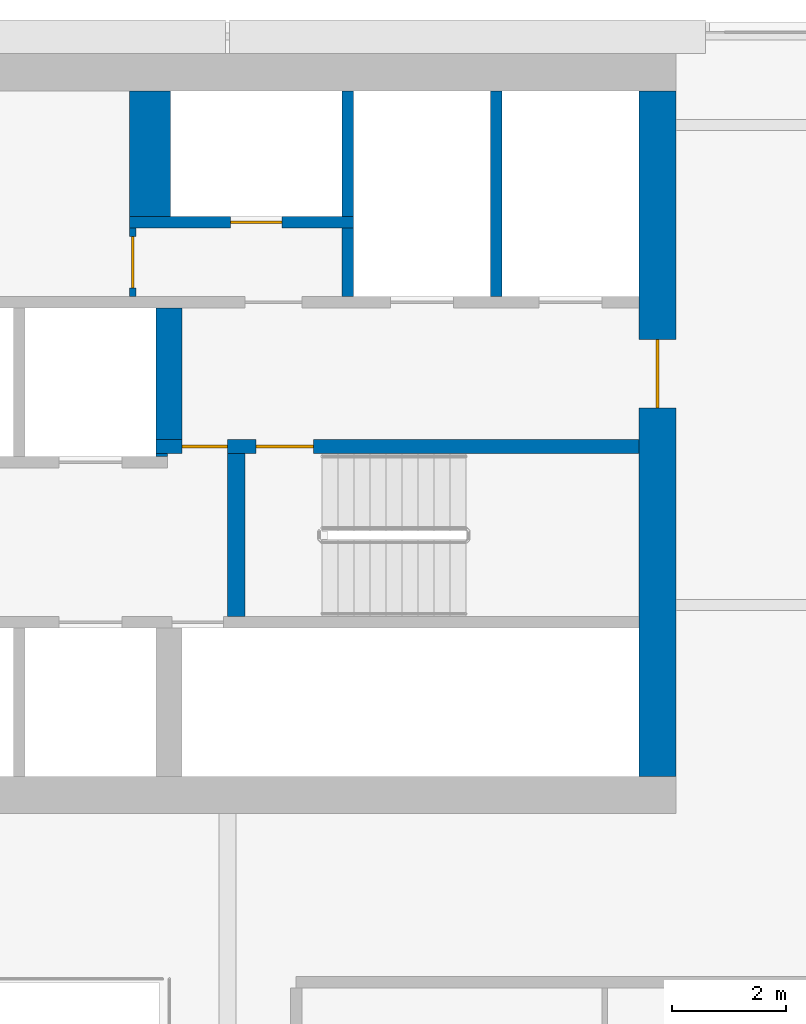
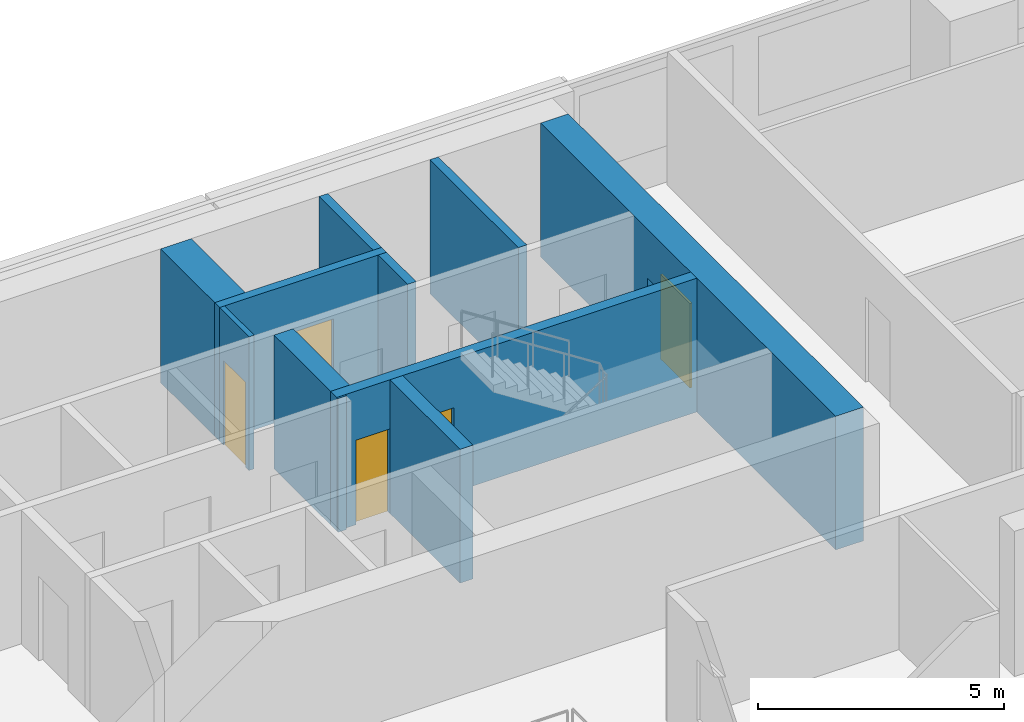
# One storey, part 22 of 30: 11 walls, 5 doors, 5 openings.
"""IFC4 building model written with IfcOpenShell, lengths in metres."""

from ifc_helpers import new_model, si_unit, direction, frame, frame_2d, origin, place, context, subcontext, project, spatial, rectangle, extrude, material, layer, layer_set, type_object, element, fill, save


model = new_model("IFC4")

# Units and contexts
model_context = context("Model", 3, precision=1e-05, world=origin(), true_north=direction((0.0, 1.0)))
body_context = subcontext(model_context, "Body", "Model", "MODEL_VIEW")
ifc_project = project(units=[si_unit("LENGTHUNIT", "METRE"), si_unit("AREAUNIT", "SQUARE_METRE"), si_unit("VOLUMEUNIT", "CUBIC_METRE"), si_unit("PLANEANGLEUNIT", "RADIAN"), si_unit("MASSUNIT", "GRAM", prefix="KILO")], contexts=[model_context])

# Site, building, storey
site_placement = place(None, origin())
site = spatial("IfcSite", under=ifc_project, at=site_placement, CompositionType="ELEMENT")
building_placement = place(site_placement, origin())
building = spatial("IfcBuilding", under=site, at=building_placement, Name="Saffron Gate Tower", CompositionType="ELEMENT")
storey_placement = place(building_placement, frame((0.0, 0.0, 245.10009765625)))
storey = spatial("IfcBuildingStorey", under=building, at=storey_placement, Name="L60", CompositionType="ELEMENT", Elevation=245.10009765625)

# Wall, openings, doors
ifc_material_1 = material(Name="Concrete C60", Category="concrete")
ifc_layer_1 = layer(ifc_material_1, 0.25)
ifc_layer_set_1 = layer_set([ifc_layer_1], Name="CW14 RC core wall 250 C60")
wall_type_1 = type_object("IfcWallType", Name="CW14 RC core wall 250 C60", PredefinedType="SOLIDWALL", material=ifc_layer_set_1)
wall_1_placement = place(storey_placement, frame((98.949951171875, 68.175048828125, 0.0), z_axis=(0.0, 0.0, 1.0), x_axis=(1.0, 0.0, 0.0)))
wall_1 = element("IfcWall", 1, at=wall_1_placement, inside=storey, type_object=wall_type_1, Name="Wall CW14-L60-30", PredefinedType="SOLIDWALL", context=body_context, shape_type="SweptSolid", body=[
    extrude(rectangle(XDim=8.449951171875, YDim=0.25, at=frame_2d((4.22509765625, 0.0))), origin(), (0.0, 0.0, 1.0), 3.31982421875),
])
opening_1_placement = place(wall_1_placement, frame((0.449951171875, 0.0, 0.0)))
opening_1 = element("IfcOpeningElement", 2, at=opening_1_placement, cuts=wall_1, Name="Opening CR-05", PredefinedType="OPENING", context=body_context, shape_type="SweptSolid", body=[
    extrude(rectangle(XDim=0.800048828125, YDim=2.10009765625, at=frame_2d((0.39990234375, 1.050048828125))), frame((0.0, 0.135009765625, 0.0), z_axis=(0.0, -1.0, 0.0), x_axis=(1.0, 0.0, 0.0)), (0.0, 0.0, 1.0), 0.27001953125),
])
opening_2_placement = place(wall_1_placement, frame((1.75, 0.0, 0.0)))
opening_2 = element("IfcOpeningElement", 3, at=opening_2_placement, cuts=wall_1, Name="Opening CR-16", PredefinedType="OPENING", context=body_context, shape_type="SweptSolid", body=[
    extrude(rectangle(XDim=1.0, YDim=2.10009765625, at=frame_2d((0.5, 1.050048828125))), frame((0.0, 0.135009765625, 0.0), z_axis=(0.0, -1.0, 0.0), x_axis=(1.0, 0.0, 0.0)), (0.0, 0.0, 1.0), 0.27001953125),
])
ifc_material_2 = material(Name="Steel fire door set", Category="steel")
door_type_1 = type_object("IfcDoorType", Name="CD5 Stair door 1000x2100 EI 120", OperationType="NOTDEFINED", PredefinedType="DOOR", material=ifc_material_2)
door_1_placement = place(opening_2_placement, origin())
door_1 = element("IfcDoor", 4, at=door_1_placement, inside=storey, type_object=door_type_1, Name="DOOR CR-16", OperationType="SINGLE_SWING_RIGHT", OverallHeight=2.10009765625, OverallWidth=1.0, PredefinedType="DOOR", context=body_context, shape_type="SweptSolid", body=[
    extrude(rectangle(XDim=1.0, YDim=2.10009765625, at=frame_2d((0.5, 1.050048828125))), frame((0.0, 0.02490234375, 0.0), z_axis=(0.0, -1.0, 0.0), x_axis=(1.0, 0.0, 0.0)), (0.0, 0.0, 1.0), 0.050048828125),
])
fill(opening_2, door_1)
door_type_2 = type_object("IfcDoorType", Name="CD6 Lobby door 800x2100 EI 120", OperationType="NOTDEFINED", PredefinedType="DOOR", material=ifc_material_2)
door_2_placement = place(opening_1_placement, origin())
door_2 = element("IfcDoor", 5, at=door_2_placement, inside=storey, type_object=door_type_2, Name="DOOR CR-05", OperationType="SINGLE_SWING_LEFT", OverallHeight=2.10009765625, OverallWidth=0.800048828125, PredefinedType="DOOR", context=body_context, shape_type="SweptSolid", body=[
    extrude(rectangle(XDim=0.800048828125, YDim=2.10009765625, at=frame_2d((0.39990234375, 1.050048828125))), frame((0.0, 0.02490234375, 0.0), z_axis=(0.0, -1.0, 0.0), x_axis=(1.0, 0.0, 0.0)), (0.0, 0.0, 1.0), 0.050048828125),
])
fill(opening_1, door_2)

# Walls
ifc_layer_2 = layer(ifc_material_1, 0.199951171875)
ifc_layer_set_2 = layer_set([ifc_layer_2], Name="CW15 RC core wall 200 C60")
wall_type_2 = type_object("IfcWallType", Name="CW15 RC core wall 200 C60", PredefinedType="SOLIDWALL", material=ifc_layer_set_2)
wall_2_placement = place(storey_placement, frame((102.300048828125, 70.800048828125, 0.0), z_axis=(0.0, 0.0, 1.0), x_axis=(0.0, 1.0, 0.0)))
element("IfcWall", 6, at=wall_2_placement, inside=storey, type_object=wall_type_2, Name="Wall CW15-L60-40", PredefinedType="SOLIDWALL", context=body_context, shape_type="SweptSolid", body=[
    extrude(rectangle(XDim=1.199951171875, YDim=0.199951171875, at=frame_2d((0.60009765625, 0.0))), origin(), (0.0, 0.0, 1.0), 3.31982421875),
])
wall_3_placement = place(storey_placement, frame((104.89990234375, 70.800048828125, 0.0), z_axis=(0.0, 0.0, 1.0), x_axis=(0.0, 1.0, 0.0)))
element("IfcWall", 7, at=wall_3_placement, inside=storey, type_object=wall_type_2, Name="Wall CW15-L60-41", PredefinedType="SOLIDWALL", context=body_context, shape_type="SweptSolid", body=[
    extrude(rectangle(XDim=3.599853515625, YDim=0.199951171875, at=frame_2d((1.7998046875, 0.0))), origin(), (0.0, 0.0, 1.0), 3.31982421875),
])

# Wall, opening, door
wall_4_placement = place(storey_placement, frame((98.47998046875, 72.10009765625, 0.0), z_axis=(0.0, 0.0, 1.0), x_axis=(1.0, 0.0, 0.0)))
wall_4 = element("IfcWall", 8, at=wall_4_placement, inside=storey, type_object=wall_type_2, Name="Wall CW15-L60-43", PredefinedType="SOLIDWALL", context=body_context, shape_type="SweptSolid", body=[
    extrude(rectangle(XDim=3.919921875, YDim=0.199951171875, at=frame_2d((1.9599609375, 0.0))), origin(), (0.0, 0.0, 1.0), 3.31982421875),
])
opening_3_placement = place(wall_4_placement, frame((1.77001953125, 0.0, 0.0)))
opening_3 = element("IfcOpeningElement", 9, at=opening_3_placement, cuts=wall_4, Name="Opening CR-70", PredefinedType="OPENING", context=body_context, shape_type="SweptSolid", body=[
    extrude(rectangle(XDim=0.89990234375, YDim=2.10009765625, at=frame_2d((0.449951171875, 1.050048828125))), frame((0.0, 0.10986328125, 0.0), z_axis=(0.0, -1.0, 0.0), x_axis=(1.0, 0.0, 0.0)), (0.0, 0.0, 1.0), 0.219970703125),
])
door_type_3 = type_object("IfcDoorType", Name="CD2 Riser door 900x2100 EI 60", OperationType="NOTDEFINED", PredefinedType="DOOR", material=ifc_material_2)
door_3_placement = place(opening_3_placement, origin())
door_3 = element("IfcDoor", 10, at=door_3_placement, inside=storey, type_object=door_type_3, Name="DOOR CR-70", OperationType="SINGLE_SWING_LEFT", OverallHeight=2.10009765625, OverallWidth=0.89990234375, PredefinedType="DOOR", context=body_context, shape_type="SweptSolid", body=[
    extrude(rectangle(XDim=0.89990234375, YDim=2.10009765625, at=frame_2d((0.449951171875, 1.050048828125))), frame((0.0, 0.02490234375, 0.0), z_axis=(0.0, -1.0, 0.0), x_axis=(1.0, 0.0, 0.0)), (0.0, 0.0, 1.0), 0.050048828125),
])
fill(opening_3, door_3)

# Walls
wall_5_placement = place(storey_placement, frame((102.300048828125, 72.199951171875, 0.0), z_axis=(0.0, 0.0, 1.0), x_axis=(0.0, 1.0, 0.0)))
element("IfcWall", 11, at=wall_5_placement, inside=storey, type_object=wall_type_2, Name="Wall CW15-L60-48", PredefinedType="SOLIDWALL", context=body_context, shape_type="SweptSolid", body=[
    extrude(rectangle(XDim=2.199951171875, YDim=0.199951171875, at=frame_2d((1.10009765625, 0.0))), origin(), (0.0, 0.0, 1.0), 3.31982421875),
])
ifc_layer_3 = layer(ifc_material_1, 0.449951171875)
ifc_layer_set_3 = layer_set([ifc_layer_3], Name="CW16 RC core wall 450 C60")
wall_type_3 = type_object("IfcWallType", Name="CW16 RC core wall 450 C60", PredefinedType="SOLIDWALL", material=ifc_layer_set_3)
wall_6_placement = place(storey_placement, frame((99.175048828125, 68.300048828125, 0.0), z_axis=(0.0, 0.0, 1.0), x_axis=(0.0, 1.0, 0.0)))
element("IfcWall", 12, at=wall_6_placement, inside=storey, type_object=wall_type_3, Name="Wall CW16-L60-32", PredefinedType="SOLIDWALL", context=body_context, shape_type="SweptSolid", body=[
    extrude(rectangle(XDim=2.300048828125, YDim=0.449951171875, at=frame_2d((1.14990234375, 0.0))), origin(), (0.0, 0.0, 1.0), 3.31982421875),
])
ifc_layer_4 = layer(ifc_material_1, 0.300048828125)
ifc_layer_set_4 = layer_set([ifc_layer_4], Name="CW17 RC core wall 300 C60")
wall_type_4 = type_object("IfcWallType", Name="CW17 RC core wall 300 C60", PredefinedType="SOLIDWALL", material=ifc_layer_set_4)
wall_7_placement = place(storey_placement, frame((100.35009765625, 65.199951171875, 0.0), z_axis=(0.0, 0.0, 1.0), x_axis=(0.0, 1.0, 0.0)))
element("IfcWall", 13, at=wall_7_placement, inside=storey, type_object=wall_type_4, Name="Wall CW17-L60-18", PredefinedType="SOLIDWALL", context=body_context, shape_type="SweptSolid", body=[
    extrude(rectangle(XDim=2.85009765625, YDim=0.300048828125, at=frame_2d((1.425048828125, 0.0))), origin(), (0.0, 0.0, 1.0), 3.31982421875),
])
ifc_layer_5 = layer(ifc_material_1, 0.050048828125)
ifc_layer_set_5 = layer_set([ifc_layer_5], Name="CW18 RC core wall 50 C60")
wall_type_5 = type_object("IfcWallType", Name="CW18 RC core wall 50 C60", PredefinedType="SOLIDWALL", material=ifc_layer_set_5)
wall_8_placement = place(storey_placement, frame((98.949951171875, 68.02490234375, 0.0), z_axis=(0.0, 0.0, 1.0), x_axis=(1.0, 0.0, 0.0)))
element("IfcWall", 14, at=wall_8_placement, inside=storey, type_object=wall_type_5, Name="Wall CW18-L60-28", PredefinedType="SOLIDWALL", context=body_context, shape_type="SweptSolid", body=[
    extrude(rectangle(XDim=0.199951171875, YDim=0.050048828125, at=frame_2d((0.10009765625, 0.0))), origin(), (0.0, 0.0, 1.0), 3.31982421875),
])

# Wall, opening, door
ifc_layer_6 = layer(ifc_material_1, 0.64990234375)
ifc_layer_set_6 = layer_set([ifc_layer_6], Name="CW20 RC core wall 650 C60")
wall_type_6 = type_object("IfcWallType", Name="CW20 RC core wall 650 C60", PredefinedType="SOLIDWALL", material=ifc_layer_set_6)
wall_9_placement = place(storey_placement, frame((107.72509765625, 62.39990234375, 0.0), z_axis=(0.0, 0.0, 1.0), x_axis=(0.0, 1.0, 0.0)))
wall_9 = element("IfcWall", 15, at=wall_9_placement, inside=storey, type_object=wall_type_6, Name="Wall CW20-L60-4", PredefinedType="SOLIDWALL", context=body_context, shape_type="SweptSolid", body=[
    extrude(rectangle(XDim=12.0, YDim=0.64990234375, at=frame_2d((6.0, 0.0))), origin(), (0.0, 0.0, 1.0), 3.31982421875),
])
opening_4_placement = place(wall_9_placement, frame((6.449951171875, 0.0, 0.0)))
opening_4 = element("IfcOpeningElement", 16, at=opening_4_placement, cuts=wall_9, Name="Opening CR-08", PredefinedType="OPENING", context=body_context, shape_type="SweptSolid", body=[
    extrude(rectangle(XDim=1.199951171875, YDim=2.10009765625, at=frame_2d((0.60009765625, 1.050048828125))), frame((0.0, 0.3349609375, 0.0), z_axis=(0.0, -1.0, 0.0), x_axis=(1.0, 0.0, 0.0)), (0.0, 0.0, 1.0), 0.669921875),
])
door_type_4 = type_object("IfcDoorType", Name="CD7 Core entrance door 1200x2100 EI 120", OperationType="NOTDEFINED", PredefinedType="DOOR", material=ifc_material_2)
door_4_placement = place(opening_4_placement, origin())
door_4 = element("IfcDoor", 17, at=door_4_placement, inside=storey, type_object=door_type_4, Name="DOOR CR-08", OperationType="SINGLE_SWING_RIGHT", OverallHeight=2.10009765625, OverallWidth=1.199951171875, PredefinedType="DOOR", context=body_context, shape_type="SweptSolid", body=[
    extrude(rectangle(XDim=1.199951171875, YDim=2.10009765625, at=frame_2d((0.60009765625, 1.050048828125))), frame((0.0, 0.02490234375, 0.0), z_axis=(0.0, -1.0, 0.0), x_axis=(1.0, 0.0, 0.0)), (0.0, 0.0, 1.0), 0.050048828125),
])
fill(opening_4, door_4)

# Wall
ifc_layer_7 = layer(ifc_material_1, 0.719970703125)
ifc_layer_set_7 = layer_set([ifc_layer_7], Name="CW21 RC core wall 720 C60")
wall_type_7 = type_object("IfcWallType", Name="CW21 RC core wall 720 C60", PredefinedType="SOLIDWALL", material=ifc_layer_set_7)
wall_10_placement = place(storey_placement, frame((98.840087890625, 72.199951171875, 0.0), z_axis=(0.0, 0.0, 1.0), x_axis=(0.0, 1.0, 0.0)))
element("IfcWall", 18, at=wall_10_placement, inside=storey, type_object=wall_type_7, Name="Wall CW21-L60-47", PredefinedType="SOLIDWALL", context=body_context, shape_type="SweptSolid", body=[
    extrude(rectangle(XDim=2.199951171875, YDim=0.719970703125, at=frame_2d((1.10009765625, 0.0))), origin(), (0.0, 0.0, 1.0), 3.31982421875),
])

# Wall, opening, door
ifc_material_3 = material(Name="Gypsum board partition on steel studs", Category="steel")
ifc_layer_8 = layer(ifc_material_3, 0.1201171875)
ifc_layer_set_8 = layer_set([ifc_layer_8], Name="CW8 Core partition 120")
wall_type_8 = type_object("IfcWallType", Name="CW8 Core partition 120", PredefinedType="PARTITIONING", material=ifc_layer_set_8)
wall_11_placement = place(storey_placement, frame((98.5400390625, 70.800048828125, 0.0), z_axis=(0.0, 0.0, 1.0), x_axis=(0.0, 1.0, 0.0)))
wall_11 = element("IfcWall", 19, at=wall_11_placement, inside=storey, type_object=wall_type_8, Name="Wall CW8-L60-39", PredefinedType="PARTITIONING", context=body_context, shape_type="SweptSolid", body=[
    extrude(rectangle(XDim=1.199951171875, YDim=0.1201171875, at=frame_2d((0.60009765625, 0.0))), origin(), (0.0, 0.0, 1.0), 3.31982421875),
])
opening_5_placement = place(wall_11_placement, frame((0.14990234375, 0.0, 0.0)))
opening_5 = element("IfcOpeningElement", 20, at=opening_5_placement, cuts=wall_11, Name="Opening CR-54", PredefinedType="OPENING", context=body_context, shape_type="SweptSolid", body=[
    extrude(rectangle(XDim=0.89990234375, YDim=2.10009765625, at=frame_2d((0.449951171875, 1.050048828125))), frame((0.0, 0.070068359375, 0.0), z_axis=(0.0, -1.0, 0.0), x_axis=(1.0, 0.0, 0.0)), (0.0, 0.0, 1.0), 0.14013671875),
])
door_type_5 = type_object("IfcDoorType", Name="CD9 Room door 900x2100 EI 60", OperationType="NOTDEFINED", PredefinedType="DOOR", material=ifc_material_2)
door_5_placement = place(opening_5_placement, origin())
door_5 = element("IfcDoor", 21, at=door_5_placement, inside=storey, type_object=door_type_5, Name="DOOR CR-54", OperationType="SINGLE_SWING_LEFT", OverallHeight=2.10009765625, OverallWidth=0.89990234375, PredefinedType="DOOR", context=body_context, shape_type="SweptSolid", body=[
    extrude(rectangle(XDim=0.89990234375, YDim=2.10009765625, at=frame_2d((0.449951171875, 1.050048828125))), frame((0.0, 0.02490234375, 0.0), z_axis=(0.0, -1.0, 0.0), x_axis=(1.0, 0.0, 0.0)), (0.0, 0.0, 1.0), 0.050048828125),
])
fill(opening_5, door_5)

save(model, "model.ifc")
